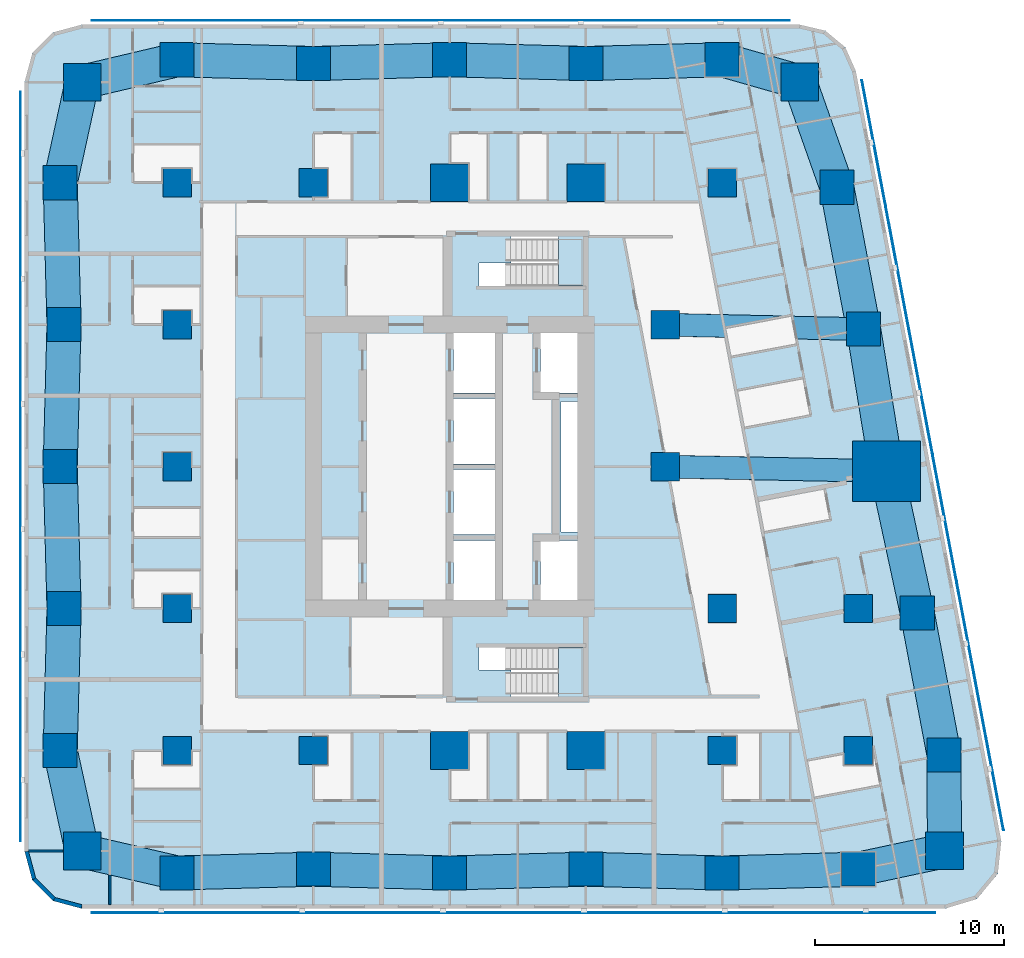
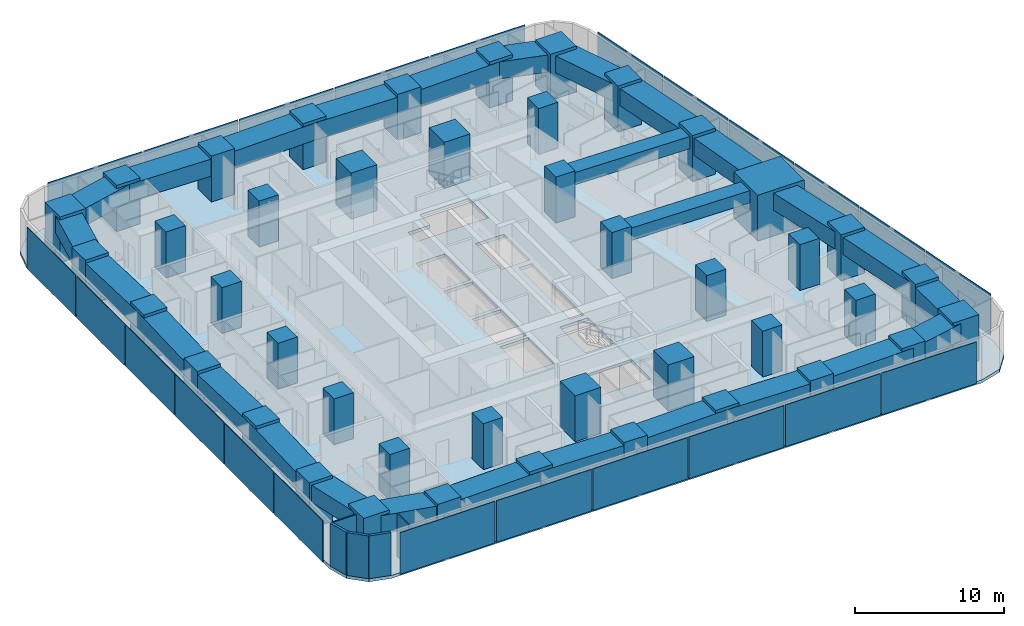
# One storey, part 1 of 14: 43 columns, 27 beams, 23 plates, 5 walls, 3 slabs, 2 elements without a shape of their own.
"""IFC4 building model written with IfcOpenShell, lengths in metres."""

from ifc_helpers import new_model, si_unit, direction, frame, frame_2d, origin, origin_2d, place, context, subcontext, project, spatial, polyline, rectangle, outline, extrude, material, layer, layer_set, material_profile, profile_set, type_object, element, aggregate, save


model = new_model("IFC4")

# Units and contexts
model_context = context("Model", 3, precision=1e-05, world=origin(), true_north=direction((0.0, 1.0)))
body_context = subcontext(model_context, "Body", "Model", "MODEL_VIEW")
ifc_project = project(units=[si_unit("LENGTHUNIT", "METRE"), si_unit("AREAUNIT", "SQUARE_METRE"), si_unit("VOLUMEUNIT", "CUBIC_METRE"), si_unit("PLANEANGLEUNIT", "RADIAN"), si_unit("MASSUNIT", "GRAM", prefix="KILO")], contexts=[model_context])

# Site, building, storey
site_placement = place(None, origin())
site = spatial("IfcSite", under=ifc_project, at=site_placement, CompositionType="ELEMENT")
building_placement = place(site_placement, origin())
building = spatial("IfcBuilding", under=site, at=building_placement, Name="Sheger Commons Tower", CompositionType="ELEMENT")
storey_placement = place(building_placement, frame((0.0, 0.0, 135.800048828125)))
storey = spatial("IfcBuildingStorey", under=building, at=storey_placement, Name="L34", CompositionType="ELEMENT", Elevation=135.800048828125)

# Columns
ifc_material_1 = material(Name="Concrete C50/60", Category="concrete")
ifc_material_profile_1 = material_profile(ifc_material_1, rectangle(XDim=3.60009765625, YDim=3.199951171875, at=origin_2d()), Name="RC 3600x3200")
ifc_profile_set_1 = profile_set([ifc_material_profile_1], Name="Concrete C50/60")
column_type_1 = type_object("IfcColumnType", Name="COLUMN PIER RC 3600x3200", PredefinedType="COLUMN", material=ifc_profile_set_1)
column_placement = place(storey_placement, frame((44.697021484375, 22.262939453125, 0.0), z_axis=(0.0, 0.0, 1.0), x_axis=(1.0, 0.0, 0.0)))
element("IfcColumn", 1, at=column_placement, inside=storey, type_object=column_type_1, Name="Pier 7/D+E/D L34", PredefinedType="COLUMN", context=body_context, shape_type="SweptSolid", body=[
    extrude(rectangle(XDim=3.60009765625, YDim=3.199951171875, at=origin_2d()), origin(), (0.0, 0.0, 1.0), 3.75),
])
ifc_material_2 = material(Name="Concrete C50/60", Category="concrete")
ifc_material_profile_2 = material_profile(ifc_material_2, rectangle(XDim=1.5, YDim=1.5, at=origin_2d()), Name="RC 1500x1500")
ifc_profile_set_2 = profile_set([ifc_material_profile_2], Name="Concrete C50/60")
column_type_2 = type_object("IfcColumnType", Name="COLUMN RC 1500x1500", PredefinedType="COLUMN", material=ifc_profile_set_2)
for number, where, z_axis, x_axis, name in (
    (2, (7.199951171875, 7.5, 0.0), (0.0, 0.0, 1.0), (1.0, 0.0, 0.0), "Column 2/B L34"),
    (3, (14.39990234375, 7.5, 0.0), (0.0, 0.0, 1.0), (1.0, 0.0, 0.0), "Column 3/B L34"),
    (4, (36.0, 7.5, 0.0), (0.0, 0.0, 1.0), (1.0, 0.0, 0.0), "Column 6/B L34"),
    (5, (43.199951171875, 7.5, 0.0), (0.0, 0.0, 1.0), (1.0, 0.0, 0.0), "Column 7/B L34"),
    (6, (7.199951171875, 15.0, 0.0), (0.0, 0.0, 1.0), (1.0, 0.0, 0.0), "Column 2/C L34"),
    (7, (36.0, 15.0, 0.0), (0.0, 0.0, 1.0), (1.0, 0.0, 0.0), "Column 6/C L34"),
    (8, (43.199951171875, 15.0, 0.0), (0.0, 0.0, 1.0), (1.0, 0.0, 0.0), "Column 7/C L34"),
    (9, (7.199951171875, 22.5, 0.0), (0.0, 0.0, 1.0), (1.0, 0.0, 0.0), "Column 2/D L34"),
    (10, (33.0, 22.5, 0.0), (0.0, 0.0, 1.0), (1.0, 0.0, 0.0), "Column 6-3000/D L34"),
    (11, (7.199951171875, 30.0, 0.0), (0.0, 0.0, 1.0), (1.0, 0.0, 0.0), "Column 2/E L34"),
    (12, (33.0, 30.0, 0.0), (0.0, 0.0, 1.0), (1.0, 0.0, 0.0), "Column 6-3000/E L34"),
    (13, (7.199951171875, 37.5, 0.0), (0.0, 0.0, 1.0), (1.0, 0.0, 0.0), "Column 2/F L34"),
    (14, (14.39990234375, 37.5, 0.0), (0.0, 0.0, 1.0), (1.0, 0.0, 0.0), "Column 3/F L34"),
    (15, (36.0, 37.5, 0.0), (0.0, 0.0, 1.0), (1.0, 0.0, 0.0), "Column 6/F L34"),
):
    element("IfcColumn", number, at=place(storey_placement, frame(where, z_axis=z_axis, x_axis=x_axis)), inside=storey, type_object=column_type_2, Name=name, PredefinedType="COLUMN", context=body_context, shape_type="SweptSolid", body=[
        extrude(rectangle(XDim=1.5, YDim=1.5, at=origin_2d()), origin(), (0.0, 0.0, 1.0), 3.75),
    ])
ifc_material_3 = material(Name="Concrete C50/60", Category="concrete")
ifc_material_profile_3 = material_profile(ifc_material_3, rectangle(XDim=1.800048828125, YDim=1.800048828125, at=origin_2d()), Name="RC 1800x1800")
ifc_profile_set_3 = profile_set([ifc_material_profile_3], Name="Concrete C50/60")
column_type_3 = type_object("IfcColumnType", Name="COLUMN RC 1800x1800", PredefinedType="COLUMN", material=ifc_profile_set_3)
for number, where, z_axis, x_axis, name in (
    (16, (7.199951171875, 1.02490234375, 0.0), (0.0, 0.0, 1.0), (1.0, 0.0, 0.0), "Column 2/A L34"),
    (17, (14.39990234375, 1.22509765625, 0.0), (0.0, 0.0, 1.0), (1.0, 0.0, 0.0), "Column 3/A L34"),
    (18, (21.60009765625, 1.02490234375, 0.0), (0.0, 0.0, 1.0), (1.0, 0.0, 0.0), "Column 4/A L34"),
    (19, (28.800048828125, 1.22509765625, 0.0), (0.0, 0.0, 1.0), (1.0, 0.0, 0.0), "Column 5/A L34"),
    (20, (36.0, 1.02490234375, 0.0), (0.0, 0.0, 1.0), (1.0, 0.0, 0.0), "Column 6/A L34"),
    (21, (43.199951171875, 1.22509765625, 0.0), (0.0, 0.0, 1.0), (1.0, 0.0, 0.0), "Column 7/A L34"),
    (22, (1.02490234375, 7.5, 0.0), (0.0, 0.0, 1.0), (1.0, 0.0, 0.0), "Column 1/B L34"),
    (23, (47.72998046875, 7.262939453125, 0.0), (0.0, 0.0, 1.0), (1.0, 0.0, 0.0), "Column E/B L34"),
    (24, (1.22509765625, 15.0, 0.0), (0.0, 0.0, 1.0), (1.0, 0.0, 0.0), "Column 1/C L34"),
    (25, (46.31396484375, 14.762939453125, 0.0), (0.0, 0.0, 1.0), (1.0, 0.0, 0.0), "Column E/C L34"),
    (26, (1.02490234375, 22.5, 0.0), (0.0, 0.0, 1.0), (1.0, 0.0, 0.0), "Column 1/D L34"),
    (27, (1.22509765625, 30.0, 0.0), (0.0, 0.0, 1.0), (1.0, 0.0, 0.0), "Column 1/E L34"),
    (28, (43.47998046875, 29.762939453125, 0.0), (0.0, 0.0, 1.0), (1.0, 0.0, 0.0), "Column E/E L34"),
    (29, (1.02490234375, 37.5, 0.0), (0.0, 0.0, 1.0), (1.0, 0.0, 0.0), "Column 1/F L34"),
    (30, (42.06396484375, 37.262939453125, 0.0), (0.0, 0.0, 1.0), (1.0, 0.0, 0.0), "Column E/F L34"),
    (31, (7.199951171875, 44.0, 0.0), (0.0, 0.0, 1.0), (1.0, 0.0, 0.0), "Column 2/G L34"),
    (32, (14.39990234375, 43.800048828125, 0.0), (0.0, 0.0, 1.0), (1.0, 0.0, 0.0), "Column 3/G L34"),
    (33, (21.60009765625, 44.0, 0.0), (0.0, 0.0, 1.0), (1.0, 0.0, 0.0), "Column 4/G L34"),
    (34, (28.800048828125, 43.800048828125, 0.0), (0.0, 0.0, 1.0), (1.0, 0.0, 0.0), "Column 5/G L34"),
    (35, (36.0, 44.0, 0.0), (0.0, 0.0, 1.0), (1.0, 0.0, 0.0), "Column 6/G L34"),
):
    element("IfcColumn", number, at=place(storey_placement, frame(where, z_axis=z_axis, x_axis=x_axis)), inside=storey, type_object=column_type_3, Name=name, PredefinedType="COLUMN", context=body_context, shape_type="SweptSolid", body=[
        extrude(rectangle(XDim=1.800048828125, YDim=1.800048828125, at=origin_2d()), origin(), (0.0, 0.0, 1.0), 3.75),
    ])
ifc_material_4 = material(Name="Concrete C50/60", Category="concrete")
ifc_material_profile_4 = material_profile(ifc_material_4, rectangle(XDim=2.0, YDim=2.0, at=origin_2d()), Name="RC 2000x2000")
ifc_profile_set_4 = profile_set([ifc_material_profile_4], Name="Concrete C50/60")
column_type_4 = type_object("IfcColumnType", Name="COLUMN RC 2000x2000", PredefinedType="COLUMN", material=ifc_profile_set_4)
for number, where, z_axis, x_axis, name in (
    (36, (2.18603515625, 2.18603515625, 0.0), (0.0, 0.0, 1.0), (1.0, 0.0, 0.0), "Column 0.630,0.630 L34"),
    (37, (47.748046875, 2.197021484375, 0.0), (0.0, 0.0, 1.0), (1.0, 0.0, 0.0), "Column 49.461,0.778 L34"),
    (38, (21.60009765625, 7.5, 0.0), (0.0, 0.0, 1.0), (1.0, 0.0, 0.0), "Column 4/B L34"),
    (39, (28.800048828125, 7.5, 0.0), (0.0, 0.0, 1.0), (1.0, 0.0, 0.0), "Column 5/B L34"),
    (40, (21.60009765625, 37.5, 0.0), (0.0, 0.0, 1.0), (1.0, 0.0, 0.0), "Column 4/F L34"),
    (41, (28.800048828125, 37.5, 0.0), (0.0, 0.0, 1.0), (1.0, 0.0, 0.0), "Column 5/F L34"),
    (42, (2.18603515625, 42.81396484375, 0.0), (0.0, 0.0, 1.0), (1.0, 0.0, 0.0), "Column 0.630,44.370 L34"),
    (43, (40.10205078125, 42.830078125, 0.0), (0.0, 0.0, 1.0), (1.0, 0.0, 0.0), "Column 41.490,44.505 L34"),
):
    element("IfcColumn", number, at=place(storey_placement, frame(where, z_axis=z_axis, x_axis=x_axis)), inside=storey, type_object=column_type_4, Name=name, PredefinedType="COLUMN", context=body_context, shape_type="SweptSolid", body=[
        extrude(rectangle(XDim=2.0, YDim=2.0, at=origin_2d()), origin(), (0.0, 0.0, 1.0), 3.75),
    ])

# Beams
ifc_material_5 = material(Name="Concrete C50/60", Category="concrete")
ifc_material_profile_5 = material_profile(ifc_material_5, rectangle(XDim=1.199951171875, YDim=1.0, at=origin_2d()), Name="RC 1200x1000")
ifc_profile_set_5 = profile_set([ifc_material_profile_5], Name="Concrete C50/60")
beam_type_1 = type_object("IfcBeamType", Name="BEAM RC 1200x1000", PredefinedType="BEAM", material=ifc_profile_set_5)
beam_1_placement = place(storey_placement, frame((33.0, 22.5, 3.0), z_axis=(0.999794692776, -0.02026258368, 0.0), x_axis=(0.02026258368, 0.999794692776, 0.0)))
element("IfcBeam", 44, at=beam_1_placement, inside=storey, type_object=beam_type_1, Name="Beam 6-3000/D-7/D under L35", PredefinedType="BEAM", context=body_context, shape_type="SweptSolid", body=[
    extrude(rectangle(XDim=1.199951171875, YDim=1.0, at=origin_2d()), origin(), (0.0, 0.0, 1.0), 11.699462890625),
])
beam_2_placement = place(storey_placement, frame((33.0, 30.0, 3.0), z_axis=(0.999744258625, -0.022614538395, 0.0), x_axis=(0.022614538395, 0.999744258625, 0.0)))
element("IfcBeam", 45, at=beam_2_placement, inside=storey, type_object=beam_type_1, Name="Beam 6-3000/E-E/E under L35", PredefinedType="BEAM", context=body_context, shape_type="SweptSolid", body=[
    extrude(rectangle(XDim=1.199951171875, YDim=1.0, at=origin_2d()), origin(), (0.0, 0.0, 1.0), 10.482666015625),
])
ifc_material_6 = material(Name="Concrete C50/60", Category="concrete")
ifc_material_profile_6 = material_profile(ifc_material_6, rectangle(XDim=1.800048828125, YDim=1.39990234375, at=origin_2d()), Name="RC 1800x1400")
ifc_profile_set_6 = profile_set([ifc_material_profile_6], Name="Concrete C50/60")
beam_type_2 = type_object("IfcBeamType", Name="SPANDREL RC 1800x1400", PredefinedType="SPANDREL", material=ifc_profile_set_6)
beam_3_placement = place(storey_placement, frame((2.18603515625, 2.18603515625, 2.800048828125), z_axis=(0.974217413499, -0.225611239159, 0.0), x_axis=(0.225611239159, 0.974217413499, 0.0)))
element("IfcBeam", 46, at=beam_3_placement, inside=storey, type_object=beam_type_2, Name="Beam 0.630,0.630-2/A under L35", PredefinedType="SPANDREL", context=body_context, shape_type="SweptSolid", body=[
    extrude(rectangle(XDim=1.800048828125, YDim=1.39990234375, at=origin_2d()), origin(), (0.0, 0.0, 1.0), 5.146728515625),
])
beam_4_placement = place(storey_placement, frame((7.199951171875, 1.02490234375, 2.800048828125), z_axis=(0.9996136624, 0.027794350926, 0.0), x_axis=(-0.027794350926, 0.9996136624, 0.0)))
element("IfcBeam", 47, at=beam_4_placement, inside=storey, type_object=beam_type_2, Name="Beam 2/A-3/A under L35", PredefinedType="SPANDREL", context=body_context, shape_type="SweptSolid", body=[
    extrude(rectangle(XDim=1.800048828125, YDim=1.39990234375, at=origin_2d()), origin(), (0.0, 0.0, 1.0), 7.20263671875),
])
beam_5_placement = place(storey_placement, frame((14.39990234375, 1.22509765625, 2.800048828125), z_axis=(0.999613688584, -0.027793409217, 0.0), x_axis=(0.027793409217, 0.999613688584, 0.0)))
element("IfcBeam", 48, at=beam_5_placement, inside=storey, type_object=beam_type_2, Name="Beam 3/A-4/A under L35", PredefinedType="SPANDREL", context=body_context, shape_type="SweptSolid", body=[
    extrude(rectangle(XDim=1.800048828125, YDim=1.39990234375, at=origin_2d()), origin(), (0.0, 0.0, 1.0), 7.202880859375),
])
for number, where, z_axis, x_axis, name in (
    (49, (21.60009765625, 1.02490234375, 2.800048828125), (0.9996136624, 0.027794350926, 0.0), (-0.027794350926, 0.9996136624, 0.0), "Beam 4/A-5/A under L35"),
    (50, (28.800048828125, 1.22509765625, 2.800048828125), (0.9996136624, -0.027794350926, 0.0), (0.027794350926, 0.9996136624, 0.0), "Beam 5/A-6/A under L35"),
    (51, (36.0, 1.02490234375, 2.800048828125), (0.9996136624, 0.027794350926, 0.0), (-0.027794350926, 0.9996136624, 0.0), "Beam 6/A-7/A under L35"),
):
    element("IfcBeam", number, at=place(storey_placement, frame(where, z_axis=z_axis, x_axis=x_axis)), inside=storey, type_object=beam_type_2, Name=name, PredefinedType="SPANDREL", context=body_context, shape_type="SweptSolid", body=[
        extrude(rectangle(XDim=1.800048828125, YDim=1.39990234375, at=origin_2d()), origin(), (0.0, 0.0, 1.0), 7.20263671875),
    ])
beam_6_placement = place(storey_placement, frame((43.199951171875, 1.22509765625, 2.800048828125), z_axis=(0.977919796671, 0.208980552394, 0.0), x_axis=(-0.208980552394, 0.977919796671, 0.0)))
element("IfcBeam", 52, at=beam_6_placement, inside=storey, type_object=beam_type_2, Name="Beam 7/A-49.461,0.778 under L35", PredefinedType="SPANDREL", context=body_context, shape_type="SweptSolid", body=[
    extrude(rectangle(XDim=1.800048828125, YDim=1.39990234375, at=origin_2d()), origin(), (0.0, 0.0, 1.0), 4.65087890625),
])
beam_7_placement = place(storey_placement, frame((47.748046875, 2.197021484375, 2.800048828125), z_axis=(-0.003566242382, 0.999993640937, 0.0), x_axis=(-0.999993640937, -0.003566242382, 0.0)))
element("IfcBeam", 53, at=beam_7_placement, inside=storey, type_object=beam_type_2, Name="Beam 49.461,0.778-E/B under L35", PredefinedType="SPANDREL", context=body_context, shape_type="SweptSolid", body=[
    extrude(rectangle(XDim=1.800048828125, YDim=1.39990234375, at=origin_2d()), origin(), (0.0, 0.0, 1.0), 5.06591796875),
])
beam_8_placement = place(storey_placement, frame((47.72998046875, 7.262939453125, 2.800048828125), z_axis=(-0.18552441405, 0.982639655108, 0.0), x_axis=(-0.982639655108, -0.18552441405, 0.0)))
element("IfcBeam", 54, at=beam_8_placement, inside=storey, type_object=beam_type_2, Name="Beam E/B-E/C under L35", PredefinedType="SPANDREL", context=body_context, shape_type="SweptSolid", body=[
    extrude(rectangle(XDim=1.800048828125, YDim=1.39990234375, at=origin_2d()), origin(), (0.0, 0.0, 1.0), 7.632568359375),
])
beam_9_placement = place(storey_placement, frame((46.31396484375, 14.762939453125, 2.800048828125), z_axis=(-0.210750229323, 0.977539943348, 0.0), x_axis=(-0.977539943348, -0.210750229323, 0.0)))
element("IfcBeam", 55, at=beam_9_placement, inside=storey, type_object=beam_type_2, Name="Beam E/C-E/D under L35", PredefinedType="SPANDREL", context=body_context, shape_type="SweptSolid", body=[
    extrude(rectangle(XDim=1.800048828125, YDim=1.39990234375, at=origin_2d()), origin(), (0.0, 0.0, 1.0), 7.67236328125),
])
beam_10_placement = place(storey_placement, frame((44.697021484375, 22.262939453125, 2.800048828125), z_axis=(-0.160176929512, 0.987088319884, 0.0), x_axis=(-0.987088319884, -0.160176929512, 0.0)))
element("IfcBeam", 56, at=beam_10_placement, inside=storey, type_object=beam_type_2, Name="Beam E/D-E/E under L35", PredefinedType="SPANDREL", context=body_context, shape_type="SweptSolid", body=[
    extrude(rectangle(XDim=1.800048828125, YDim=1.39990234375, at=origin_2d()), origin(), (0.0, 0.0, 1.0), 7.59814453125),
])
beam_11_placement = place(storey_placement, frame((43.47998046875, 29.762939453125, 2.800048828125), z_axis=(-0.18552441405, 0.982639655108, 0.0), x_axis=(-0.982639655108, -0.18552441405, 0.0)))
element("IfcBeam", 57, at=beam_11_placement, inside=storey, type_object=beam_type_2, Name="Beam E/E-E/F under L35", PredefinedType="SPANDREL", context=body_context, shape_type="SweptSolid", body=[
    extrude(rectangle(XDim=1.800048828125, YDim=1.39990234375, at=origin_2d()), origin(), (0.0, 0.0, 1.0), 7.632568359375),
])
beam_12_placement = place(storey_placement, frame((42.06396484375, 37.262939453125, 2.800048828125), z_axis=(-0.332374403357, 0.943147526102, 0.0), x_axis=(-0.943147526102, -0.332374403357, 0.0)))
element("IfcBeam", 58, at=beam_12_placement, inside=storey, type_object=beam_type_2, Name="Beam E/F-41.490,44.505 under L35", PredefinedType="SPANDREL", context=body_context, shape_type="SweptSolid", body=[
    extrude(rectangle(XDim=1.800048828125, YDim=1.39990234375, at=origin_2d()), origin(), (0.0, 0.0, 1.0), 5.90283203125),
])
beam_13_placement = place(storey_placement, frame((40.10205078125, 42.830078125, 2.800048828125), z_axis=(-0.961653428129, 0.274267541221, 0.0), x_axis=(-0.274267541221, -0.961653428129, 0.0)))
element("IfcBeam", 59, at=beam_13_placement, inside=storey, type_object=beam_type_2, Name="Beam 41.490,44.505-6/G under L35", PredefinedType="SPANDREL", context=body_context, shape_type="SweptSolid", body=[
    extrude(rectangle(XDim=1.800048828125, YDim=1.39990234375, at=origin_2d()), origin(), (0.0, 0.0, 1.0), 4.265625),
])
for number, where, z_axis, x_axis, name in (
    (60, (36.0, 44.0, 2.800048828125), (-0.999614603568, -0.027760481514, 0.0), (0.027760481514, -0.999614603568, 0.0), "Beam 6/G-5/G under L35"),
    (61, (28.800048828125, 43.800048828125, 2.800048828125), (-0.999614603568, 0.027760481514, 0.0), (-0.027760481514, -0.999614603568, 0.0), "Beam 5/G-4/G under L35"),
):
    element("IfcBeam", number, at=place(storey_placement, frame(where, z_axis=z_axis, x_axis=x_axis)), inside=storey, type_object=beam_type_2, Name=name, PredefinedType="SPANDREL", context=body_context, shape_type="SweptSolid", body=[
        extrude(rectangle(XDim=1.800048828125, YDim=1.39990234375, at=origin_2d()), origin(), (0.0, 0.0, 1.0), 7.20263671875),
    ])
beam_14_placement = place(storey_placement, frame((21.60009765625, 44.0, 2.800048828125), z_axis=(-0.999614629688, -0.027759540951, 0.0), x_axis=(0.027759540951, -0.999614629688, 0.0)))
element("IfcBeam", 62, at=beam_14_placement, inside=storey, type_object=beam_type_2, Name="Beam 4/G-3/G under L35", PredefinedType="SPANDREL", context=body_context, shape_type="SweptSolid", body=[
    extrude(rectangle(XDim=1.800048828125, YDim=1.39990234375, at=origin_2d()), origin(), (0.0, 0.0, 1.0), 7.202880859375),
])
beam_15_placement = place(storey_placement, frame((14.39990234375, 43.800048828125, 2.800048828125), z_axis=(-0.999614603568, 0.027760481514, 0.0), x_axis=(-0.027760481514, -0.999614603568, 0.0)))
element("IfcBeam", 63, at=beam_15_placement, inside=storey, type_object=beam_type_2, Name="Beam 3/G-2/G under L35", PredefinedType="SPANDREL", context=body_context, shape_type="SweptSolid", body=[
    extrude(rectangle(XDim=1.800048828125, YDim=1.39990234375, at=origin_2d()), origin(), (0.0, 0.0, 1.0), 7.20263671875),
])
beam_16_placement = place(storey_placement, frame((7.199951171875, 44.0, 2.800048828125), z_axis=(-0.97314428949, -0.230195985701, 0.0), x_axis=(0.230195985701, -0.97314428949, 0.0)))
element("IfcBeam", 64, at=beam_16_placement, inside=storey, type_object=beam_type_2, Name="Beam 2/G-0.630,44.370 under L35", PredefinedType="SPANDREL", context=body_context, shape_type="SweptSolid", body=[
    extrude(rectangle(XDim=1.800048828125, YDim=1.39990234375, at=origin_2d()), origin(), (0.0, 0.0, 1.0), 5.15234375),
])
beam_17_placement = place(storey_placement, frame((2.18603515625, 42.81396484375, 2.800048828125), z_axis=(-0.213469314652, -0.976949769283, 0.0), x_axis=(0.976949769283, -0.213469314652, 0.0)))
element("IfcBeam", 65, at=beam_17_placement, inside=storey, type_object=beam_type_2, Name="Beam 0.630,44.370-1/F under L35", PredefinedType="SPANDREL", context=body_context, shape_type="SweptSolid", body=[
    extrude(rectangle(XDim=1.800048828125, YDim=1.39990234375, at=origin_2d()), origin(), (0.0, 0.0, 1.0), 5.439453125),
])
for number, where, z_axis, x_axis, name in (
    (66, (1.02490234375, 37.5, 2.800048828125), (0.026683204125, -0.999643939919, 0.0), (0.999643939919, 0.026683204125, 0.0), "Beam 1/F-1/E under L35"),
    (67, (1.22509765625, 30.0, 2.800048828125), (-0.026683204125, -0.999643939919, 0.0), (0.999643939919, -0.026683204125, 0.0), "Beam 1/E-1/D under L35"),
    (68, (1.02490234375, 22.5, 2.800048828125), (0.026683204125, -0.999643939919, 0.0), (0.999643939919, 0.026683204125, 0.0), "Beam 1/D-1/C under L35"),
    (69, (1.22509765625, 15.0, 2.800048828125), (-0.026683204125, -0.999643939919, 0.0), (0.999643939919, -0.026683204125, 0.0), "Beam 1/C-1/B under L35"),
):
    element("IfcBeam", number, at=place(storey_placement, frame(where, z_axis=z_axis, x_axis=x_axis)), inside=storey, type_object=beam_type_2, Name=name, PredefinedType="SPANDREL", context=body_context, shape_type="SweptSolid", body=[
        extrude(rectangle(XDim=1.800048828125, YDim=1.39990234375, at=origin_2d()), origin(), (0.0, 0.0, 1.0), 7.502685546875),
    ])
beam_18_placement = place(storey_placement, frame((1.02490234375, 7.5, 2.800048828125), z_axis=(0.213469314652, -0.976949769283, 0.0), x_axis=(0.976949769283, 0.213469314652, 0.0)))
element("IfcBeam", 70, at=beam_18_placement, inside=storey, type_object=beam_type_2, Name="Beam 1/B-0.630,0.630 under L35", PredefinedType="SPANDREL", context=body_context, shape_type="SweptSolid", body=[
    extrude(rectangle(XDim=1.800048828125, YDim=1.39990234375, at=origin_2d()), origin(), (0.0, 0.0, 1.0), 5.439453125),
])

# Slab
ifc_material_7 = material(Name="Concrete C35/45", Category="concrete")
ifc_layer_1 = layer(ifc_material_7, 0.25)
ifc_layer_set_1 = layer_set([ifc_layer_1], Name="SLAB FLOOR 250")
slab_type_1 = type_object("IfcSlabType", Name="SLAB FLOOR 250", PredefinedType="FLOOR", material=ifc_layer_set_1)
slab_1_placement = place(storey_placement, frame((0.0, 0.0, -0.25)))
element("IfcSlab", 71, at=slab_1_placement, inside=storey, type_object=slab_type_1, Name="L34 floor slab", PredefinedType="FLOOR", context=body_context, shape_type="SweptSolid", body=[
    extrude(outline(polyline([(-0.85009765625, 2.14990234375), (-0.447998046875, 0.64990234375), (0.64990234375, -0.447998046875), (2.14990234375, -0.85009765625), (47.805908203125, -0.85009765625), (49.465087890625, -0.35009765625), (50.570068359375, 0.98388671875), (50.75390625, 2.70703125), (43.06591796875, 43.406982421875), (42.509033203125, 44.660888671875), (41.452880859375, 45.535888671875), (40.117919921875, 45.85009765625), (2.14990234375, 45.85009765625), (0.64990234375, 45.447998046875), (-0.447998046875, 44.35009765625), (-0.85009765625, 42.85009765625), (-0.85009765625, 2.14990234375)]), holes=[polyline([(24.85009765625, 10.35009765625), (28.64990234375, 10.35009765625), (28.64990234375, 12.949951171875), (23.15087890625, 12.949951171875), (23.15087890625, 11.75), (24.85009765625, 11.75), (24.85009765625, 10.35009765625)]), polyline([(23.15087890625, 32.050048828125), (28.64990234375, 32.050048828125), (28.64990234375, 34.64990234375), (24.85009765625, 34.64990234375), (24.85009765625, 33.25), (23.15087890625, 33.25), (23.15087890625, 32.050048828125)]), polyline([(26.39990234375, 15.14990234375), (28.60009765625, 15.14990234375), (28.60009765625, 18.60009765625), (26.39990234375, 18.60009765625), (26.39990234375, 15.14990234375)]), polyline([(26.39990234375, 26.39990234375), (28.60009765625, 26.39990234375), (28.60009765625, 29.85009765625), (26.39990234375, 29.85009765625), (26.39990234375, 26.39990234375)]), polyline([(21.800048828125, 15.14990234375), (24.0, 15.14990234375), (24.0, 18.60009765625), (21.800048828125, 18.60009765625), (21.800048828125, 15.14990234375)]), polyline([(21.800048828125, 18.89990234375), (24.0, 18.89990234375), (24.0, 22.35009765625), (21.800048828125, 22.35009765625), (21.800048828125, 18.89990234375)]), polyline([(21.800048828125, 22.64990234375), (24.0, 22.64990234375), (24.0, 26.10009765625), (21.800048828125, 26.10009765625), (21.800048828125, 22.64990234375)]), polyline([(21.800048828125, 26.39990234375), (24.0, 26.39990234375), (24.0, 29.85009765625), (21.800048828125, 29.85009765625), (21.800048828125, 26.39990234375)]), polyline([(27.5, 19.050048828125), (28.5, 19.050048828125), (28.5, 25.949951171875), (27.5, 25.949951171875), (27.5, 19.050048828125)])]), origin(), (0.0, 0.0, 1.0), 0.25),
])

# Plates
ifc_material_8 = material(Name="Perforated black anodised aluminium screen", Category="aluminium")
ifc_layer_2 = layer(ifc_material_8, 0.050048828125)
ifc_layer_set_2 = layer_set([ifc_layer_2], Name="SOLAR SCREEN SCREEN-1")
plate_type = type_object("IfcPlateType", Name="SOLAR SCREEN SCREEN-1", PredefinedType="USERDEFINED", material=ifc_layer_set_2)
for number, where, z_axis, x_axis, name in (
    (72, (6.37109375, -1.074951171875, 0.050048828125), (0.0, 0.0, 1.0), (1.0, 0.0, 0.0), "Perforated solar screen panel"),
    (73, (13.81396484375, -1.074951171875, 0.050048828125), (0.0, 0.0, 1.0), (1.0, 0.0, 0.0), "Perforated solar screen panel"),
    (74, (21.257080078125, -1.074951171875, 0.050048828125), (0.0, 0.0, 1.0), (1.0, 0.0, 0.0), "Perforated solar screen panel"),
    (75, (28.698974609375, -1.074951171875, 0.050048828125), (0.0, 0.0, 1.0), (1.0, 0.0, 0.0), "Perforated solar screen panel"),
    (76, (36.14208984375, -1.074951171875, 0.050048828125), (0.0, 0.0, 1.0), (1.0, 0.0, 0.0), "Perforated solar screen panel"),
    (77, (43.5849609375, -1.074951171875, 0.050048828125), (0.0, 0.0, 1.0), (1.0, 0.0, 0.0), "Perforated solar screen panel"),
):
    element("IfcPlate", number, at=place(storey_placement, frame(where, z_axis=z_axis, x_axis=x_axis)), inside=storey, type_object=plate_type, Name=name, ObjectType="SCREEN", PredefinedType="USERDEFINED", context=body_context, shape_type="SweptSolid", body=[
        extrude(rectangle(XDim=7.343017578125, YDim=0.050048828125, at=origin_2d()), origin(), (0.0, 0.0, 1.0), 3.39990234375),
    ])
for number, where, z_axis, x_axis, name in (
    (78, (50.257080078125, 6.550048828125, 0.050048828125), (0.0, 0.0, 1.0), (-0.185615165645, 0.982622516678, 0.0), "Perforated solar screen panel"),
    (79, (49.007080078125, 13.1689453125, 0.050048828125), (0.0, 0.0, 1.0), (-0.185615165645, 0.982622516678, 0.0), "Perforated solar screen panel"),
    (80, (47.756103515625, 19.7890625, 0.050048828125), (0.0, 0.0, 1.0), (-0.185615165645, 0.982622516678, 0.0), "Perforated solar screen panel"),
    (81, (46.506103515625, 26.408935546875, 0.050048828125), (0.0, 0.0, 1.0), (-0.185615165645, 0.982622516678, 0.0), "Perforated solar screen panel"),
    (82, (45.2548828125, 33.028076171875, 0.050048828125), (0.0, 0.0, 1.0), (-0.185615165645, 0.982622516678, 0.0), "Perforated solar screen panel"),
    (83, (44.0048828125, 39.64794921875, 0.050048828125), (0.0, 0.0, 1.0), (-0.185615165645, 0.982622516678, 0.0), "Perforated solar screen panel"),
):
    element("IfcPlate", number, at=place(storey_placement, frame(where, z_axis=z_axis, x_axis=x_axis)), inside=storey, type_object=plate_type, Name=name, ObjectType="SCREEN", PredefinedType="USERDEFINED", context=body_context, shape_type="SweptSolid", body=[
        extrude(rectangle(XDim=6.636962890625, YDim=0.050048828125, at=origin_2d()), origin(), (0.0, 0.0, 1.0), 3.39990234375),
    ])
for number, where, z_axis, x_axis, name in (
    (84, (35.9208984375, 46.074951171875, 0.050048828125), (0.0, 0.0, 1.0), (-1.0, 0.0, 0.0), "Perforated solar screen panel"),
    (85, (28.528076171875, 46.074951171875, 0.050048828125), (0.0, 0.0, 1.0), (-1.0, 0.0, 0.0), "Perforated solar screen panel"),
    (86, (21.134033203125, 46.074951171875, 0.050048828125), (0.0, 0.0, 1.0), (-1.0, 0.0, 0.0), "Perforated solar screen panel"),
    (87, (13.739990234375, 46.074951171875, 0.050048828125), (0.0, 0.0, 1.0), (-1.0, 0.0, 0.0), "Perforated solar screen panel"),
    (88, (6.346923828125, 46.074951171875, 0.050048828125), (0.0, 0.0, 1.0), (-1.0, 0.0, 0.0), "Perforated solar screen panel"),
):
    element("IfcPlate", number, at=place(storey_placement, frame(where, z_axis=z_axis, x_axis=x_axis)), inside=storey, type_object=plate_type, Name=name, ObjectType="SCREEN", PredefinedType="USERDEFINED", context=body_context, shape_type="SweptSolid", body=[
        extrude(rectangle(XDim=7.2939453125, YDim=0.050048828125, at=origin_2d()), origin(), (0.0, 0.0, 1.0), 3.39990234375),
    ])
for number, where, z_axis, x_axis, name in (
    (89, (-1.074951171875, 39.0419921875, 0.050048828125), (0.0, 0.0, 1.0), (0.0, -1.0, 0.0), "Perforated solar screen panel"),
    (90, (-1.074951171875, 32.425048828125, 0.050048828125), (0.0, 0.0, 1.0), (0.0, -1.0, 0.0), "Perforated solar screen panel"),
    (91, (-1.074951171875, 25.80810546875, 0.050048828125), (0.0, 0.0, 1.0), (0.0, -1.0, 0.0), "Perforated solar screen panel"),
    (92, (-1.074951171875, 19.19189453125, 0.050048828125), (0.0, 0.0, 1.0), (0.0, -1.0, 0.0), "Perforated solar screen panel"),
    (93, (-1.074951171875, 12.574951171875, 0.050048828125), (0.0, 0.0, 1.0), (0.0, -1.0, 0.0), "Perforated solar screen panel"),
    (94, (-1.074951171875, 5.9580078125, 0.050048828125), (0.0, 0.0, 1.0), (0.0, -1.0, 0.0), "Perforated solar screen panel"),
):
    element("IfcPlate", number, at=place(storey_placement, frame(where, z_axis=z_axis, x_axis=x_axis)), inside=storey, type_object=plate_type, Name=name, ObjectType="SCREEN", PredefinedType="USERDEFINED", context=body_context, shape_type="SweptSolid", body=[
        extrude(rectangle(XDim=6.51708984375, YDim=0.050048828125, at=origin_2d()), origin(), (0.0, 0.0, 1.0), 3.39990234375),
    ])

# Stair, slab
ifc_material_9 = material(Name="Concrete C35/45", Category="concrete")
stair_type = type_object("IfcStairType", Name="HALF-TURN STAIR 1200 RISE 3750", PredefinedType="HALF_TURN_STAIR", material=ifc_material_9)
stair_1_placement = place(storey_placement, origin())
stair_1 = element("IfcStair", 95, at=stair_1_placement, inside=storey, type_object=stair_type, Name="Stair S1 L34", PredefinedType="HALF_TURN_STAIR")
ifc_material_10 = material(Name="Concrete C35/45", Category="concrete")
ifc_layer_3 = layer(ifc_material_10, 0.199951171875)
ifc_layer_set_3 = layer_set([ifc_layer_3], Name="STAIR LANDING 200")
slab_type_2 = type_object("IfcSlabType", Name="STAIR LANDING 200", PredefinedType="LANDING", material=ifc_layer_set_3)
slab_2_placement = place(storey_placement, frame((0.0, 0.0, 1.675048828125)))
slab_2 = element("IfcSlab", 96, at=slab_2_placement, type_object=slab_type_2, Name="S1 landing 1", PredefinedType="LANDING", context=body_context, shape_type="SweptSolid", body=[
    extrude(outline(polyline([(27.35009765625, 10.199951171875), (28.800048828125, 10.199951171875), (28.800048828125, 12.949951171875), (27.35009765625, 12.949951171875), (27.35009765625, 10.199951171875)])), origin(), (0.0, 0.0, 1.0), 0.199951171875),
])
aggregate(stair_1, [slab_2])

stair_2_placement = place(storey_placement, origin())
stair_2 = element("IfcStair", 97, at=stair_2_placement, inside=storey, type_object=stair_type, Name="Stair S2 L34", PredefinedType="HALF_TURN_STAIR")
slab_3_placement = place(storey_placement, frame((0.0, 0.0, 1.675048828125)))
slab_3 = element("IfcSlab", 98, at=slab_3_placement, type_object=slab_type_2, Name="S2 landing 1", PredefinedType="LANDING", context=body_context, shape_type="SweptSolid", body=[
    extrude(outline(polyline([(27.35009765625, 32.050048828125), (28.800048828125, 32.050048828125), (28.800048828125, 34.800048828125), (27.35009765625, 34.800048828125), (27.35009765625, 32.050048828125)])), origin(), (0.0, 0.0, 1.0), 0.199951171875),
])
aggregate(stair_2, [slab_3])

# Walls
ifc_material_11 = material(Name="Rendered concrete block masonry, dark grey", Category="masonry")
ifc_layer_4 = layer(ifc_material_11, 0.199951171875)
ifc_layer_set_4 = layer_set([ifc_layer_4], Name="FACADE WALL 200")
wall_type_1 = type_object("IfcWallType", Name="FACADE WALL 200", PredefinedType="SOLIDWALL", material=ifc_layer_set_4)
wall_1_placement = place(storey_placement, frame((-0.75, 2.1630859375, 0.0), z_axis=(0.0, 0.0, 1.0), x_axis=(0.259168954497, -0.965832000415, 0.0)))
element("IfcWall", 99, at=wall_1_placement, inside=storey, type_object=wall_type_1, Name="Facade wall L34", PredefinedType="SOLIDWALL", context=body_context, shape_type="SweptSolid", body=[
    extrude(rectangle(XDim=1.512939453125, YDim=0.199951171875, at=frame_2d((0.75634765625, 0.0))), origin(), (0.0, 0.0, 1.0), 3.5),
])
wall_2_placement = place(storey_placement, frame((-0.35791015625, 0.701904296875, 0.0), z_axis=(0.0, 0.0, 1.0), x_axis=(0.707106781187, -0.707106781187, 0.0)))
element("IfcWall", 100, at=wall_2_placement, inside=storey, type_object=wall_type_1, Name="Facade wall L34", PredefinedType="SOLIDWALL", context=body_context, shape_type="SweptSolid", body=[
    extrude(rectangle(XDim=1.498779296875, YDim=0.199951171875, at=frame_2d((0.74951171875, 0.0))), origin(), (0.0, 0.0, 1.0), 3.5),
])
wall_3_placement = place(storey_placement, frame((0.701904296875, -0.35791015625, 0.0), z_axis=(0.0, 0.0, 1.0), x_axis=(0.965832000415, -0.259168954497, 0.0)))
element("IfcWall", 101, at=wall_3_placement, inside=storey, type_object=wall_type_1, Name="Facade wall L34", PredefinedType="SOLIDWALL", context=body_context, shape_type="SweptSolid", body=[
    extrude(rectangle(XDim=1.512939453125, YDim=0.199951171875, at=frame_2d((0.75634765625, 0.0))), origin(), (0.0, 0.0, 1.0), 3.5),
])
ifc_material_12 = material(Name="Gypsum board on steel studs", Category="steel")
ifc_layer_5 = layer(ifc_material_12, 0.10009765625)
ifc_layer_set_5 = layer_set([ifc_layer_5], Name="PARTITION 100")
wall_type_2 = type_object("IfcWallType", Name="PARTITION 100", PredefinedType="PARTITIONING", material=ifc_layer_set_5)
wall_4_placement = place(storey_placement, frame((3.64990234375, -0.64990234375, 0.0), z_axis=(0.0, 0.0, 1.0), x_axis=(0.0, 1.0, 0.0)))
element("IfcWall", 102, at=wall_4_placement, inside=storey, type_object=wall_type_2, Name="Partition L34", PredefinedType="PARTITIONING", context=body_context, shape_type="SweptSolid", body=[
    extrude(rectangle(XDim=1.56201171875, YDim=0.10009765625, at=frame_2d((0.781005859375, 0.0))), origin(), (0.0, 0.0, 1.0), 3.5),
])
wall_5_placement = place(storey_placement, frame((-0.64990234375, 2.18603515625, 0.0), z_axis=(0.0, 0.0, 1.0), x_axis=(1.0, 0.0, 0.0)))
element("IfcWall", 103, at=wall_5_placement, inside=storey, type_object=wall_type_2, Name="Partition L34", PredefinedType="PARTITIONING", context=body_context, shape_type="SweptSolid", body=[
    extrude(rectangle(XDim=1.8349609375, YDim=0.10009765625, at=frame_2d((0.91748046875, 0.0))), origin(), (0.0, 0.0, 1.0), 3.5),
])

save(model, "model.ifc")
